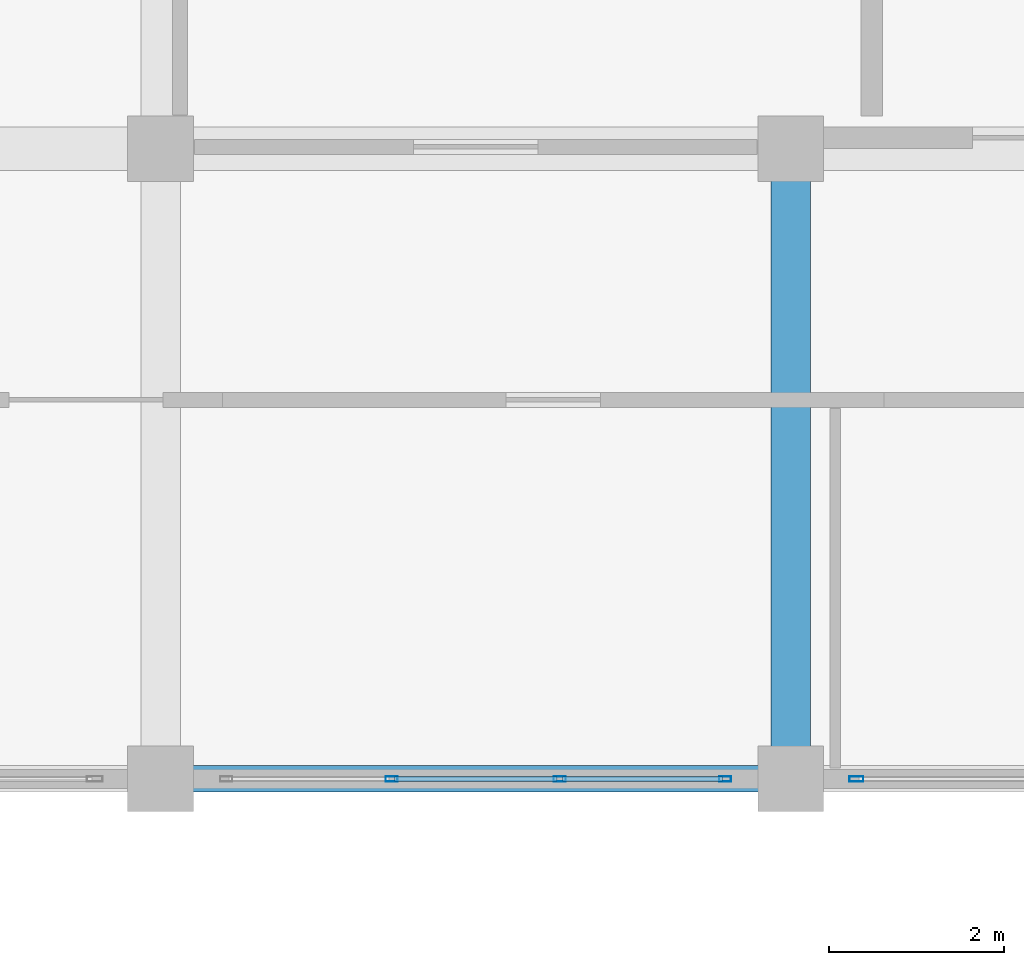
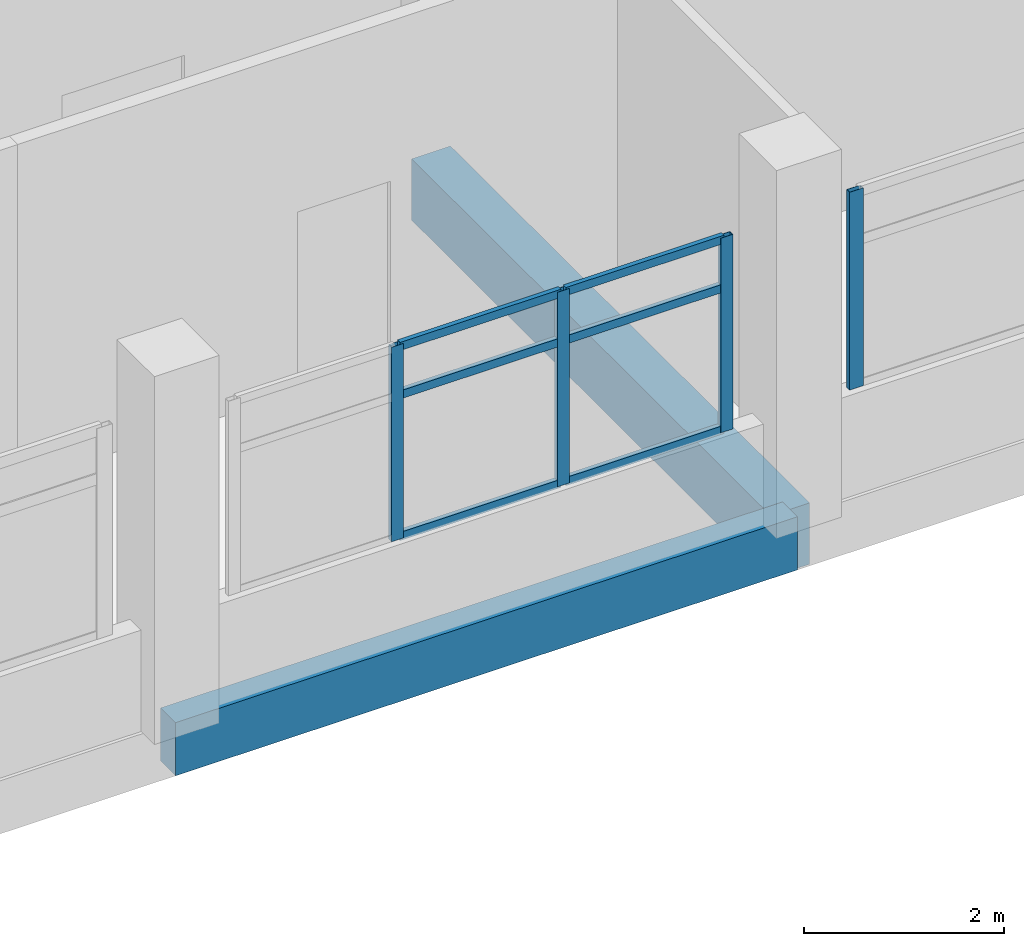
# One storey, part 28 of 141: 10 members, 2 beams, 2 elements without a shape of their own.
"""IFC4 building model written with IfcOpenShell, lengths in metres."""

from ifc_helpers import new_model, si_unit, direction, frame, origin, origin_2d, place, context, subcontext, project, spatial, rectangle, hollow_rectangle, extrude, material, layer, layer_set, material_profile, profile_set, type_object, element, aggregate, save


model = new_model("IFC4")

# Units and contexts
model_context = context("Model", 3, precision=1e-05, world=origin(), true_north=direction((0.0, 1.0)))
body_context = subcontext(model_context, "Body", "Model", "MODEL_VIEW")
ifc_project = project(units=[si_unit("LENGTHUNIT", "METRE"), si_unit("AREAUNIT", "SQUARE_METRE"), si_unit("VOLUMEUNIT", "CUBIC_METRE"), si_unit("PLANEANGLEUNIT", "RADIAN"), si_unit("MASSUNIT", "GRAM", prefix="KILO")], contexts=[model_context])

# Site, building, storey
site_placement = place(None, origin())
site = spatial("IfcSite", under=ifc_project, at=site_placement, CompositionType="ELEMENT")
building_placement = place(site_placement, origin())
building = spatial("IfcBuilding", under=site, at=building_placement, Name="Seraya Terrace Polytechnic", CompositionType="ELEMENT")
storey_placement = place(building_placement, frame((0.0, 0.0, 14.39990234375)))
storey = spatial("IfcBuildingStorey", under=building, at=storey_placement, Name="L03", CompositionType="ELEMENT", Elevation=14.39990234375)

# Beam
ifc_material_1 = material(Name="Concrete C40/50", Category="concrete")
ifc_material_profile_1 = material_profile(ifc_material_1, rectangle(XDim=0.449951171875, YDim=0.75, at=origin_2d()), Name="RC 450x750")
ifc_profile_set_1 = profile_set([ifc_material_profile_1], Name="Concrete C40/50")
beam_type_1 = type_object("IfcBeamType", Name="BM-08", PredefinedType="BEAM", material=ifc_profile_set_1)
beam_1_placement = place(storey_placement, frame((86.39990234375, 0.0, -0.375), z_axis=(0.0, 1.0, 0.0), x_axis=(-1.0, 0.0, 0.0)))
element("IfcBeam", 1, at=beam_1_placement, inside=storey, type_object=beam_type_1, Name="Beam BM-08 L03 Y (86.4, 0.0..7.2)", PredefinedType="BEAM", context=body_context, shape_type="SweptSolid", body=[
    extrude(rectangle(XDim=0.449951171875, YDim=0.75, at=origin_2d()), origin(), (0.0, 0.0, 1.0), 7.199951171875),
])

# Curtain wall, member
ifc_material_2 = material(Name="Anodised aluminium EN AW-6063 T6", Category="aluminium")
ifc_layer_1 = layer(ifc_material_2, 0.179931640625, Name="CW-29")
ifc_layer_set_1 = layer_set([ifc_layer_1], Name="Anodised aluminium EN AW-6063 T6")
curtain_wall_type_1 = type_object("IfcCurtainWallType", Name="CW-29", PredefinedType="NOTDEFINED", material=ifc_layer_set_1)
curtain_wall_1_placement = place(storey_placement, origin())
curtain_wall_1 = element("IfcCurtainWall", 2, at=curtain_wall_1_placement, inside=storey, type_object=curtain_wall_type_1, Name="Unitised curtain wall CW-29 (CW-L03-101)", PredefinedType="NOTDEFINED")
ifc_material_profile_2 = material_profile(ifc_material_2, hollow_rectangle(XDim=0.06005859375, YDim=0.159912109375, WallThickness=0.00341796875, at=origin_2d()), Name="RHS 160x60x3.5")
ifc_profile_set_2 = profile_set([ifc_material_profile_2], Name="Anodised aluminium EN AW-6063 T6")
member_type_1 = type_object("IfcMemberType", Name="CWM-02", PredefinedType="MULLION", material=ifc_profile_set_2)
member_1_placement = place(storey_placement, frame((87.14990234375, 0.0, 1.239990234375), z_axis=(0.0, 0.0, 1.0), x_axis=(0.0, -1.0, 0.0)))
member_1 = element("IfcMember", 3, at=member_1_placement, type_object=member_type_1, Name="CW-29 mullion 3", PredefinedType="MULLION", context=body_context, shape_type="SweptSolid", body=[
    extrude(hollow_rectangle(XDim=0.06005859375, YDim=0.159912109375, WallThickness=0.00341796875, at=origin_2d()), origin(), (0.0, 0.0, 1.0), 2.420166015625),
])
aggregate(curtain_wall_1, [member_1])

# Curtain wall, members
ifc_layer_2 = layer(ifc_material_2, 0.179931640625, Name="CW-30")
ifc_layer_set_2 = layer_set([ifc_layer_2], Name="Anodised aluminium EN AW-6063 T6")
curtain_wall_type_2 = type_object("IfcCurtainWallType", Name="CW-30", PredefinedType="NOTDEFINED", material=ifc_layer_set_2)
curtain_wall_2_placement = place(storey_placement, origin())
curtain_wall_2 = element("IfcCurtainWall", 4, at=curtain_wall_2_placement, inside=storey, type_object=curtain_wall_type_2, Name="Unitised curtain wall CW-30 (CW-L03-102)", PredefinedType="NOTDEFINED")
ifc_material_profile_3 = material_profile(ifc_material_2, hollow_rectangle(XDim=0.06005859375, YDim=0.139892578125, WallThickness=0.00341796875, at=origin_2d()), Name="RHS 140x60x3.5")
ifc_profile_set_3 = profile_set([ifc_material_profile_3], Name="Anodised aluminium EN AW-6063 T6")
member_type_2 = type_object("IfcMemberType", Name="CWM-03", PredefinedType="MULLION", material=ifc_profile_set_3)
member_2_placement = place(storey_placement, frame((85.64990234375, 0.0, 1.239990234375), z_axis=(0.0, 0.0, 1.0), x_axis=(0.0, -1.0, 0.0)))
member_2 = element("IfcMember", 5, at=member_2_placement, type_object=member_type_2, Name="CW-30 mullion 1", PredefinedType="MULLION", context=body_context, shape_type="SweptSolid", body=[
    extrude(hollow_rectangle(XDim=0.06005859375, YDim=0.139892578125, WallThickness=0.00341796875, at=origin_2d()), origin(), (0.0, 0.0, 1.0), 2.380126953125),
])
member_3_placement = place(storey_placement, frame((83.760009765625, 0.0, 1.239990234375), z_axis=(0.0, 0.0, 1.0), x_axis=(0.0, -1.0, 0.0)))
member_3 = element("IfcMember", 6, at=member_3_placement, type_object=member_type_2, Name="CW-30 mullion 2", PredefinedType="MULLION", context=body_context, shape_type="SweptSolid", body=[
    extrude(hollow_rectangle(XDim=0.06005859375, YDim=0.139892578125, WallThickness=0.00341796875, at=origin_2d()), origin(), (0.0, 0.0, 1.0), 2.380126953125),
])
member_4_placement = place(storey_placement, frame((81.840087890625, 0.0, 1.239990234375), z_axis=(0.0, 0.0, 1.0), x_axis=(0.0, -1.0, 0.0)))
member_4 = element("IfcMember", 7, at=member_4_placement, type_object=member_type_2, Name="CW-30 mullion 3", PredefinedType="MULLION", context=body_context, shape_type="SweptSolid", body=[
    extrude(hollow_rectangle(XDim=0.06005859375, YDim=0.139892578125, WallThickness=0.00341796875, at=origin_2d()), origin(), (0.0, 0.0, 1.0), 2.380126953125),
])
ifc_material_profile_4 = material_profile(ifc_material_2, hollow_rectangle(XDim=0.054931640625, YDim=0.10009765625, WallThickness=0.0029296875, at=origin_2d()), Name="RHS 100x55x3.0")
ifc_profile_set_4 = profile_set([ifc_material_profile_4], Name="Anodised aluminium EN AW-6063 T6")
member_type_3 = type_object("IfcMemberType", Name="CWT-03", PredefinedType="USERDEFINED", material=ifc_profile_set_4)
member_5_placement = place(storey_placement, frame((85.6201171875, 0.0, 1.267578125), z_axis=(-1.0, 0.0, 0.0), x_axis=(0.0, -1.0, 0.0)))
member_5 = element("IfcMember", 8, at=member_5_placement, type_object=member_type_3, Name="CW-30 transom 1.1", ObjectType="TRANSOM", PredefinedType="USERDEFINED", context=body_context, shape_type="SweptSolid", body=[
    extrude(hollow_rectangle(XDim=0.054931640625, YDim=0.10009765625, WallThickness=0.0029296875, at=origin_2d()), origin(), (0.0, 0.0, 1.0), 1.830078125),
])
member_6_placement = place(storey_placement, frame((85.6201171875, 0.0, 3.0), z_axis=(-1.0, 0.0, 0.0), x_axis=(0.0, -1.0, 0.0)))
member_6 = element("IfcMember", 9, at=member_6_placement, type_object=member_type_3, Name="CW-30 transom 1.2", ObjectType="TRANSOM", PredefinedType="USERDEFINED", context=body_context, shape_type="SweptSolid", body=[
    extrude(hollow_rectangle(XDim=0.054931640625, YDim=0.10009765625, WallThickness=0.0029296875, at=origin_2d()), origin(), (0.0, 0.0, 1.0), 1.830078125),
])
member_7_placement = place(storey_placement, frame((85.6201171875, 0.0, 3.592529296875), z_axis=(-1.0, 0.0, 0.0), x_axis=(0.0, -1.0, 0.0)))
member_7 = element("IfcMember", 10, at=member_7_placement, type_object=member_type_3, Name="CW-30 transom 1.3", ObjectType="TRANSOM", PredefinedType="USERDEFINED", context=body_context, shape_type="SweptSolid", body=[
    extrude(hollow_rectangle(XDim=0.054931640625, YDim=0.10009765625, WallThickness=0.0029296875, at=origin_2d()), origin(), (0.0, 0.0, 1.0), 1.830078125),
])
member_8_placement = place(storey_placement, frame((83.72998046875, 0.0, 1.267578125), z_axis=(-1.0, 0.0, 0.0), x_axis=(0.0, -1.0, 0.0)))
member_8 = element("IfcMember", 11, at=member_8_placement, type_object=member_type_3, Name="CW-30 transom 2.1", ObjectType="TRANSOM", PredefinedType="USERDEFINED", context=body_context, shape_type="SweptSolid", body=[
    extrude(hollow_rectangle(XDim=0.054931640625, YDim=0.10009765625, WallThickness=0.0029296875, at=origin_2d()), origin(), (0.0, 0.0, 1.0), 1.85986328125),
])
member_9_placement = place(storey_placement, frame((83.72998046875, 0.0, 3.0), z_axis=(-1.0, 0.0, 0.0), x_axis=(0.0, -1.0, 0.0)))
member_9 = element("IfcMember", 12, at=member_9_placement, type_object=member_type_3, Name="CW-30 transom 2.2", ObjectType="TRANSOM", PredefinedType="USERDEFINED", context=body_context, shape_type="SweptSolid", body=[
    extrude(hollow_rectangle(XDim=0.054931640625, YDim=0.10009765625, WallThickness=0.0029296875, at=origin_2d()), origin(), (0.0, 0.0, 1.0), 1.85986328125),
])
member_10_placement = place(storey_placement, frame((83.72998046875, 0.0, 3.592529296875), z_axis=(-1.0, 0.0, 0.0), x_axis=(0.0, -1.0, 0.0)))
member_10 = element("IfcMember", 13, at=member_10_placement, type_object=member_type_3, Name="CW-30 transom 2.3", ObjectType="TRANSOM", PredefinedType="USERDEFINED", context=body_context, shape_type="SweptSolid", body=[
    extrude(hollow_rectangle(XDim=0.054931640625, YDim=0.10009765625, WallThickness=0.0029296875, at=origin_2d()), origin(), (0.0, 0.0, 1.0), 1.85986328125),
])
aggregate(curtain_wall_2, [member_2, member_3, member_4, member_5, member_6, member_7, member_8, member_9, member_10])

# Beam
ifc_material_profile_5 = material_profile(ifc_material_1, rectangle(XDim=0.300048828125, YDim=0.64990234375, at=origin_2d()), Name="RC 300x650")
ifc_profile_set_5 = profile_set([ifc_material_profile_5], Name="Concrete C40/50")
beam_type_2 = type_object("IfcBeamType", Name="SP-01", PredefinedType="SPANDREL", material=ifc_profile_set_5)
beam_2_placement = place(storey_placement, frame((79.199951171875, 0.0, -0.324951171875), z_axis=(1.0, 0.0, 0.0), x_axis=(0.0, 1.0, 0.0)))
element("IfcBeam", 14, at=beam_2_placement, inside=storey, type_object=beam_type_2, Name="Beam SP-01 L03 X (79.2..86.4, 0.0)", PredefinedType="SPANDREL", context=body_context, shape_type="SweptSolid", body=[
    extrude(rectangle(XDim=0.300048828125, YDim=0.64990234375, at=origin_2d()), origin(), (0.0, 0.0, 1.0), 7.199951171875),
])

save(model, "model.ifc")
